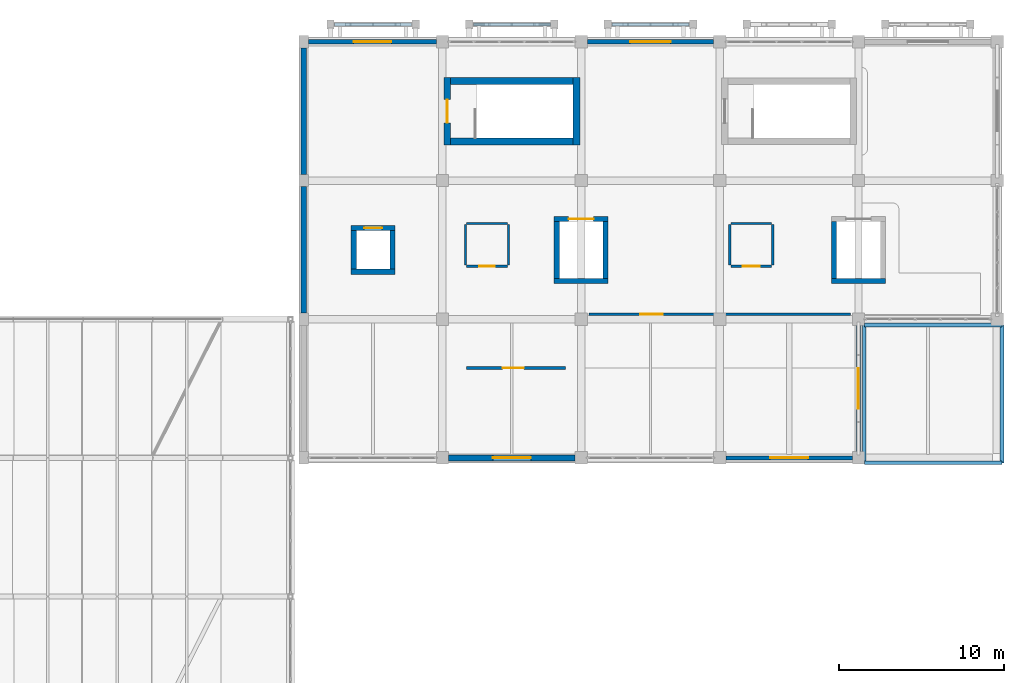
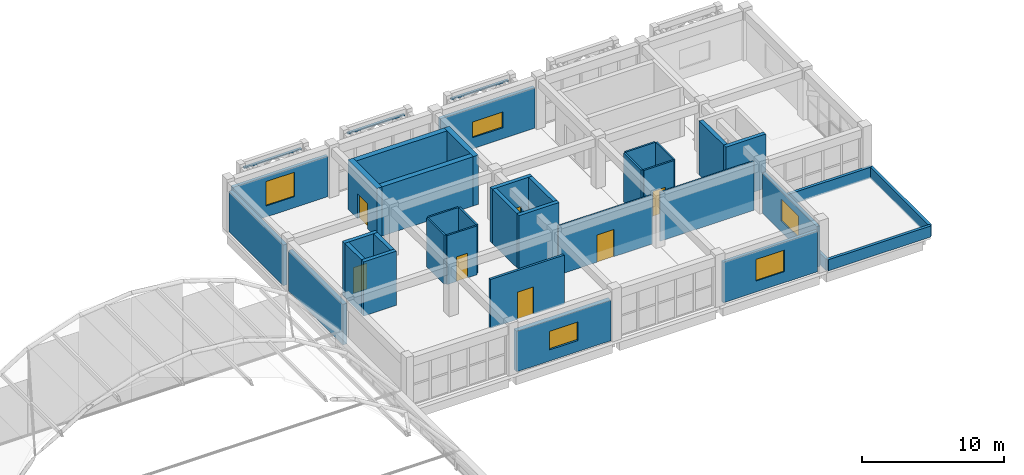
# One storey, part 106 of 114: 39 walls, 7 doors, 5 windows, 12 openings.
"""IFC4 building model written with IfcOpenShell, lengths in metres."""

from ifc_helpers import new_model, si_unit, direction, frame, frame_2d, origin, place, context, subcontext, project, spatial, rectangle, extrude, material, layer, layer_set, type_object, element, fill, save


model = new_model("IFC4")

# Units and contexts
model_context = context("Model", 3, precision=1e-05, world=origin(), true_north=direction((0.0, 1.0)))
body_context = subcontext(model_context, "Body", "Model", "MODEL_VIEW")
ifc_project = project(units=[si_unit("LENGTHUNIT", "METRE"), si_unit("AREAUNIT", "SQUARE_METRE"), si_unit("VOLUMEUNIT", "CUBIC_METRE"), si_unit("PLANEANGLEUNIT", "RADIAN"), si_unit("MASSUNIT", "GRAM", prefix="KILO")], contexts=[model_context])

# Site, building, storey
site_placement = place(None, origin())
site = spatial("IfcSite", under=ifc_project, at=site_placement, CompositionType="ELEMENT")
building_placement = place(site_placement, origin())
building = spatial("IfcBuilding", under=site, at=building_placement, Name="Xazarin Passage Department Store", CompositionType="ELEMENT")
storey_placement = place(building_placement, frame((0.0, 0.0, 14.39990234375)))
storey = spatial("IfcBuildingStorey", under=building, at=storey_placement, Name="L03", CompositionType="ELEMENT", Elevation=14.39990234375)

# Wall, opening, door
ifc_material_1 = material(Name="Buff Baku clay brick", Category="masonry")
ifc_layer_1 = layer(ifc_material_1, 0.18505859375)
ifc_layer_set_1 = layer_set([ifc_layer_1], Name="Buff Baku clay brick")
wall_type_1 = type_object("IfcWallType", Name="ARC-W-CMP185", PredefinedType="PARTITIONING", material=ifc_layer_set_1)
wall_1_placement = place(storey_placement, frame((112.25, 90.25, 0.0), z_axis=(0.0, 0.0, 1.0), x_axis=(1.0, 0.0, 0.0)))
wall_1 = element("IfcWall", 1, at=wall_1_placement, inside=storey, type_object=wall_type_1, Name="L03 Buying Office Front Wall 0228", PredefinedType="PARTITIONING", context=body_context, shape_type="SweptSolid", body=[
    extrude(rectangle(XDim=6.0, YDim=0.18505859375, at=frame_2d((3.0, 0.0))), origin(), (0.0, 0.0, 1.0), 4.2001953125),
])
opening_1_placement = place(wall_1_placement, frame((2.199951171875, 0.0, 0.0)))
opening_1 = element("IfcOpeningElement", 2, at=opening_1_placement, cuts=wall_1, Name="Opening ID29", PredefinedType="OPENING", context=body_context, shape_type="SweptSolid", body=[
    extrude(rectangle(XDim=1.280029296875, YDim=2.340087890625, at=frame_2d((0.64013671875, 1.169921875))), frame((0.0, 0.1025390625, 0.0), z_axis=(0.0, -1.0, 0.0), x_axis=(1.0, 0.0, 0.0)), (0.0, 0.0, 1.0), 0.205078125),
])
ifc_material_2 = material(Name="Timber acoustic leaf", Category="wood")
door_type_1 = type_object("IfcDoorType", Name="ARC-DR-ID29", OperationType="NOTDEFINED", PredefinedType="DOOR", material=ifc_material_2)
door_1_placement = place(opening_1_placement, origin())
door_1 = element("IfcDoor", 3, at=door_1_placement, inside=storey, type_object=door_type_1, Name="DR-INT-L03-0228", OperationType="SINGLE_SWING_LEFT", OverallHeight=2.340087890625, OverallWidth=1.280029296875, PredefinedType="DOOR", context=body_context, shape_type="SweptSolid", body=[
    extrude(rectangle(XDim=1.280029296875, YDim=2.340087890625, at=frame_2d((0.64013671875, 1.169921875))), frame((0.0, 0.02490234375, 0.0), z_axis=(0.0, -1.0, 0.0), x_axis=(1.0, 0.0, 0.0)), (0.0, 0.0, 1.0), 0.050048828125),
])
fill(opening_1, door_1)

# Wall, opening, window
ifc_material_3 = material(Name="Precast concrete C40/50", Category="concrete")
ifc_layer_2 = layer(ifc_material_3, 0.239990234375)
ifc_layer_set_2 = layer_set([ifc_layer_2], Name="Precast concrete C40/50")
wall_type_2 = type_object("IfcWallType", Name="ARC-W-EXT240", PredefinedType="SOLIDWALL", material=ifc_layer_set_2)
wall_2_placement = place(storey_placement, frame((127.97509765625, 84.800048828125, 0.0), z_axis=(0.0, 0.0, 1.0), x_axis=(1.0, 0.0, 0.0)))
wall_2 = element("IfcWall", 4, at=wall_2_placement, inside=storey, type_object=wall_type_2, Name="L03 V4 Exterior Wall 312", PredefinedType="SOLIDWALL", context=body_context, shape_type="SweptSolid", body=[
    extrude(rectangle(XDim=7.64990234375, YDim=0.239990234375, at=frame_2d((3.824951171875, 0.0))), origin(), (0.0, 0.0, 1.0), 3.489990234375),
])
opening_2_placement = place(wall_2_placement, frame((2.675048828125, 0.0, 0.949951171875)))
opening_2 = element("IfcOpeningElement", 5, at=opening_2_placement, cuts=wall_2, Name="Opening W39", PredefinedType="OPENING", context=body_context, shape_type="SweptSolid", body=[
    extrude(rectangle(XDim=2.300048828125, YDim=1.85009765625, at=frame_2d((1.14990234375, 0.925048828125))), frame((0.0, 0.1298828125, 0.0), z_axis=(0.0, -1.0, 0.0), x_axis=(1.0, 0.0, 0.0)), (0.0, 0.0, 1.0), 0.260009765625),
])
ifc_material_4 = material(Name="Low-E laminated safety glass", Category="glass")
window_type_1 = type_object("IfcWindowType", Name="ARC-WIN-W39", PartitioningType="DOUBLE_PANEL_VERTICAL", PredefinedType="WINDOW", material=ifc_material_4)
window_1_placement = place(opening_2_placement, origin())
window_1 = element("IfcWindow", 6, at=window_1_placement, inside=storey, type_object=window_type_1, Name="L03 V4 Facade Window 0087", OverallHeight=1.85009765625, OverallWidth=2.300048828125, PartitioningType="DOUBLE_PANEL_VERTICAL", PredefinedType="WINDOW", context=body_context, shape_type="SweptSolid", body=[
    extrude(rectangle(XDim=2.300048828125, YDim=1.85009765625, at=frame_2d((1.14990234375, 0.925048828125))), frame((0.0, 0.030029296875, 0.0), z_axis=(0.0, -1.0, 0.0), x_axis=(1.0, 0.0, 0.0)), (0.0, 0.0, 1.0), 0.06005859375),
])
fill(opening_2, window_1)

wall_3_placement = place(storey_placement, frame((136.0, 85.175048828125, 0.0), z_axis=(0.0, 0.0, 1.0), x_axis=(0.0, 1.0, 0.0)))
wall_3 = element("IfcWall", 7, at=wall_3_placement, inside=storey, type_object=wall_type_2, Name="L03 V4 Exterior Wall 319", PredefinedType="SOLIDWALL", context=body_context, shape_type="SweptSolid", body=[
    extrude(rectangle(XDim=7.64990234375, YDim=0.239990234375, at=frame_2d((3.824951171875, 0.0))), origin(), (0.0, 0.0, 1.0), 3.489990234375),
])
opening_3_placement = place(wall_3_placement, frame((2.60009765625, 0.0, 0.949951171875)))
opening_3 = element("IfcOpeningElement", 8, at=opening_3_placement, cuts=wall_3, Name="Opening W43", PredefinedType="OPENING", context=body_context, shape_type="SweptSolid", body=[
    extrude(rectangle(XDim=2.449951171875, YDim=1.85009765625, at=frame_2d((1.22509765625, 0.925048828125))), frame((0.0, 0.1298828125, 0.0), z_axis=(0.0, -1.0, 0.0), x_axis=(1.0, 0.0, 0.0)), (0.0, 0.0, 1.0), 0.260009765625),
])
window_type_2 = type_object("IfcWindowType", Name="ARC-WIN-W43", PartitioningType="DOUBLE_PANEL_VERTICAL", PredefinedType="WINDOW", material=ifc_material_4)
window_2_placement = place(opening_3_placement, origin())
window_2 = element("IfcWindow", 9, at=window_2_placement, inside=storey, type_object=window_type_2, Name="L03 V4 Facade Window 0091", OverallHeight=1.85009765625, OverallWidth=2.449951171875, PartitioningType="DOUBLE_PANEL_VERTICAL", PredefinedType="WINDOW", context=body_context, shape_type="SweptSolid", body=[
    extrude(rectangle(XDim=2.449951171875, YDim=1.85009765625, at=frame_2d((1.22509765625, 0.925048828125))), frame((0.0, 0.030029296875, 0.0), z_axis=(0.0, -1.0, 0.0), x_axis=(1.0, 0.0, 0.0)), (0.0, 0.0, 1.0), 0.06005859375),
])
fill(opening_3, window_2)

ifc_layer_3 = layer(ifc_material_3, 0.260009765625)
ifc_layer_set_3 = layer_set([ifc_layer_3], Name="Precast concrete C40/50")
wall_type_3 = type_object("IfcWallType", Name="ARC-W-EXT260", PredefinedType="SOLIDWALL", material=ifc_layer_set_3)
wall_4_placement = place(storey_placement, frame((102.699951171875, 110.0, 0.0), z_axis=(0.0, 0.0, 1.0), x_axis=(1.0, 0.0, 0.0)))
wall_4 = element("IfcWall", 10, at=wall_4_placement, inside=storey, type_object=wall_type_3, Name="L03 V4 Exterior Wall 313", PredefinedType="SOLIDWALL", context=body_context, shape_type="SweptSolid", body=[
    extrude(rectangle(XDim=7.72509765625, YDim=0.260009765625, at=frame_2d((3.862548828125, 0.0))), origin(), (0.0, 0.0, 1.0), 3.489990234375),
])
opening_4_placement = place(wall_4_placement, frame((2.71240234375, 0.0, 0.949951171875)))
opening_4 = element("IfcOpeningElement", 11, at=opening_4_placement, cuts=wall_4, Name="Opening W40", PredefinedType="OPENING", context=body_context, shape_type="SweptSolid", body=[
    extrude(rectangle(XDim=2.300048828125, YDim=2.10009765625, at=frame_2d((1.14990234375, 1.050048828125))), frame((0.0, 0.139892578125, 0.0), z_axis=(0.0, -1.0, 0.0), x_axis=(1.0, 0.0, 0.0)), (0.0, 0.0, 1.0), 0.280029296875),
])
window_type_3 = type_object("IfcWindowType", Name="ARC-WIN-W40", PartitioningType="DOUBLE_PANEL_VERTICAL", PredefinedType="WINDOW", material=ifc_material_4)
window_3_placement = place(opening_4_placement, origin())
window_3 = element("IfcWindow", 12, at=window_3_placement, inside=storey, type_object=window_type_3, Name="L03 V4 Facade Window 0088", OverallHeight=2.10009765625, OverallWidth=2.300048828125, PartitioningType="DOUBLE_PANEL_VERTICAL", PredefinedType="WINDOW", context=body_context, shape_type="SweptSolid", body=[
    extrude(rectangle(XDim=2.300048828125, YDim=2.10009765625, at=frame_2d((1.14990234375, 1.050048828125))), frame((0.0, 0.030029296875, 0.0), z_axis=(0.0, -1.0, 0.0), x_axis=(1.0, 0.0, 0.0)), (0.0, 0.0, 1.0), 0.06005859375),
])
fill(opening_4, window_3)

ifc_layer_4 = layer(ifc_material_3, 0.280029296875)
ifc_layer_set_4 = layer_set([ifc_layer_4], Name="Precast concrete C40/50")
wall_type_4 = type_object("IfcWallType", Name="ARC-W-EXT280", PredefinedType="SOLIDWALL", material=ifc_layer_set_4)
wall_5_placement = place(storey_placement, frame((119.574951171875, 110.0, 0.0), z_axis=(0.0, 0.0, 1.0), x_axis=(1.0, 0.0, 0.0)))
wall_5 = element("IfcWall", 13, at=wall_5_placement, inside=storey, type_object=wall_type_4, Name="L03 V4 Exterior Wall 314", PredefinedType="SOLIDWALL", context=body_context, shape_type="SweptSolid", body=[
    extrude(rectangle(XDim=7.650146484375, YDim=0.280029296875, at=frame_2d((3.8251953125, 0.0))), origin(), (0.0, 0.0, 1.0), 3.489990234375),
])
opening_5_placement = place(wall_5_placement, frame((2.60009765625, 0.0, 0.949951171875)))
opening_5 = element("IfcOpeningElement", 14, at=opening_5_placement, cuts=wall_5, Name="Opening W41", PredefinedType="OPENING", context=body_context, shape_type="SweptSolid", body=[
    extrude(rectangle(XDim=2.449951171875, YDim=1.35009765625, at=frame_2d((1.22509765625, 0.675048828125))), frame((0.0, 0.14990234375, 0.0), z_axis=(0.0, -1.0, 0.0), x_axis=(1.0, 0.0, 0.0)), (0.0, 0.0, 1.0), 0.300048828125),
])
window_type_4 = type_object("IfcWindowType", Name="ARC-WIN-W41", PartitioningType="DOUBLE_PANEL_VERTICAL", PredefinedType="WINDOW", material=ifc_material_4)
window_4_placement = place(opening_5_placement, origin())
window_4 = element("IfcWindow", 15, at=window_4_placement, inside=storey, type_object=window_type_4, Name="L03 V4 Facade Window 0089", OverallHeight=1.35009765625, OverallWidth=2.449951171875, PartitioningType="DOUBLE_PANEL_VERTICAL", PredefinedType="WINDOW", context=body_context, shape_type="SweptSolid", body=[
    extrude(rectangle(XDim=2.449951171875, YDim=1.35009765625, at=frame_2d((1.22509765625, 0.675048828125))), frame((0.0, 0.030029296875, 0.0), z_axis=(0.0, -1.0, 0.0), x_axis=(1.0, 0.0, 0.0)), (0.0, 0.0, 1.0), 0.06005859375),
])
fill(opening_5, window_4)

# Walls
ifc_layer_5 = layer(ifc_material_1, 0.320068359375)
ifc_layer_set_5 = layer_set([ifc_layer_5], Name="Buff Baku clay brick")
wall_type_5 = type_object("IfcWallType", Name="ARC-W-EXT320", PredefinedType="SOLIDWALL", material=ifc_layer_set_5)
wall_6_placement = place(storey_placement, frame((102.39990234375, 93.574951171875, 0.0), z_axis=(0.0, 0.0, 1.0), x_axis=(0.0, 1.0, 0.0)))
element("IfcWall", 16, at=wall_6_placement, inside=storey, type_object=wall_type_5, Name="L03 V4 Exterior Wall 317", PredefinedType="SOLIDWALL", context=body_context, shape_type="SweptSolid", body=[
    extrude(rectangle(XDim=7.650146484375, YDim=0.320068359375, at=frame_2d((3.8251953125, 0.0))), origin(), (0.0, 0.0, 1.0), 3.489990234375),
])
wall_7_placement = place(storey_placement, frame((102.39990234375, 101.97509765625, 0.0), z_axis=(0.0, 0.0, 1.0), x_axis=(0.0, 1.0, 0.0)))
element("IfcWall", 17, at=wall_7_placement, inside=storey, type_object=wall_type_5, Name="L03 V4 Exterior Wall 318", PredefinedType="SOLIDWALL", context=body_context, shape_type="SweptSolid", body=[
    extrude(rectangle(XDim=7.64990234375, YDim=0.320068359375, at=frame_2d((3.824951171875, 0.0))), origin(), (0.0, 0.0, 1.0), 3.489990234375),
])

# Wall, opening, window
ifc_material_5 = material(Name="Absheron limestone cladding", Category="masonry")
ifc_layer_6 = layer(ifc_material_5, 0.360107421875)
ifc_layer_set_6 = layer_set([ifc_layer_6], Name="Absheron limestone cladding")
wall_type_6 = type_object("IfcWallType", Name="ARC-W-EXT360", PredefinedType="SOLIDWALL", material=ifc_layer_set_6)
wall_8_placement = place(storey_placement, frame((111.175048828125, 84.800048828125, 0.0), z_axis=(0.0, 0.0, 1.0), x_axis=(1.0, 0.0, 0.0)))
wall_8 = element("IfcWall", 18, at=wall_8_placement, inside=storey, type_object=wall_type_6, Name="L03 V4 Exterior Wall 311", PredefinedType="SOLIDWALL", context=body_context, shape_type="SweptSolid", body=[
    extrude(rectangle(XDim=7.64990234375, YDim=0.360107421875, at=frame_2d((3.824951171875, 0.0))), origin(), (0.0, 0.0, 1.0), 3.489990234375),
])
opening_6_placement = place(wall_8_placement, frame((2.675048828125, 0.0, 0.949951171875)))
opening_6 = element("IfcOpeningElement", 19, at=opening_6_placement, cuts=wall_8, Name="Opening W38", PredefinedType="OPENING", context=body_context, shape_type="SweptSolid", body=[
    extrude(rectangle(XDim=2.300048828125, YDim=1.60009765625, at=frame_2d((1.14990234375, 0.800048828125))), frame((0.0, 0.18994140625, 0.0), z_axis=(0.0, -1.0, 0.0), x_axis=(1.0, 0.0, 0.0)), (0.0, 0.0, 1.0), 0.380126953125),
])
window_type_5 = type_object("IfcWindowType", Name="ARC-WIN-W38", PartitioningType="DOUBLE_PANEL_VERTICAL", PredefinedType="WINDOW", material=ifc_material_4)
window_5_placement = place(opening_6_placement, origin())
window_5 = element("IfcWindow", 20, at=window_5_placement, inside=storey, type_object=window_type_5, Name="L03 V4 Facade Window 0086", OverallHeight=1.60009765625, OverallWidth=2.300048828125, PartitioningType="DOUBLE_PANEL_VERTICAL", PredefinedType="WINDOW", context=body_context, shape_type="SweptSolid", body=[
    extrude(rectangle(XDim=2.300048828125, YDim=1.60009765625, at=frame_2d((1.14990234375, 0.800048828125))), frame((0.0, 0.030029296875, 0.0), z_axis=(0.0, -1.0, 0.0), x_axis=(1.0, 0.0, 0.0)), (0.0, 0.0, 1.0), 0.06005859375),
])
fill(opening_6, window_5)

# Walls
ifc_layer_7 = layer(ifc_material_3, 0.18994140625)
ifc_layer_set_7 = layer_set([ifc_layer_7], Name="Precast concrete C40/50")
wall_type_7 = type_object("IfcWallType", Name="ARC-W-PAR190", PredefinedType="PARAPET", material=ifc_layer_set_7)
wall_9_placement = place(storey_placement, frame((104.27001953125, 111.050048828125, 3.880126953125), z_axis=(0.0, 0.0, 1.0), x_axis=(1.0, 0.0, 0.0)))
element("IfcWall", 21, at=wall_9_placement, inside=storey, type_object=wall_type_7, Name="L03 V4 Pierced-Arch Spandrel Lintel 0148", PredefinedType="PARAPET", context=body_context, shape_type="SweptSolid", body=[
    extrude(rectangle(XDim=4.659912109375, YDim=0.18994140625, at=frame_2d((2.330078125, 0.0))), origin(), (0.0, 0.0, 1.0), 0.119873046875),
])
wall_10_placement = place(storey_placement, frame((112.669921875, 111.050048828125, 3.880126953125), z_axis=(0.0, 0.0, 1.0), x_axis=(1.0, 0.0, 0.0)))
element("IfcWall", 22, at=wall_10_placement, inside=storey, type_object=wall_type_7, Name="L03 V4 Pierced-Arch Spandrel Lintel 0152", PredefinedType="PARAPET", context=body_context, shape_type="SweptSolid", body=[
    extrude(rectangle(XDim=4.66015625, YDim=0.18994140625, at=frame_2d((2.330078125, 0.0))), origin(), (0.0, 0.0, 1.0), 0.119873046875),
])
wall_11_placement = place(storey_placement, frame((121.070068359375, 111.050048828125, 3.880126953125), z_axis=(0.0, 0.0, 1.0), x_axis=(1.0, 0.0, 0.0)))
element("IfcWall", 23, at=wall_11_placement, inside=storey, type_object=wall_type_7, Name="L03 V4 Pierced-Arch Spandrel Lintel 0156", PredefinedType="PARAPET", context=body_context, shape_type="SweptSolid", body=[
    extrude(rectangle(XDim=4.659912109375, YDim=0.18994140625, at=frame_2d((2.330078125, 0.0))), origin(), (0.0, 0.0, 1.0), 0.119873046875),
])
ifc_layer_8 = layer(ifc_material_3, 0.22998046875)
ifc_layer_set_8 = layer_set([ifc_layer_8], Name="Precast concrete C40/50")
wall_type_8 = type_object("IfcWallType", Name="ARC-W-PAR230", PredefinedType="PARAPET", material=ifc_layer_set_8)
wall_12_placement = place(storey_placement, frame((144.699951171875, 84.5, 0.0), z_axis=(0.0, 0.0, 1.0), x_axis=(0.0, 1.0, 0.0)))
element("IfcWall", 24, at=wall_12_placement, inside=storey, type_object=wall_type_8, Name="L03 Roof Parapet 048", PredefinedType="PARAPET", context=body_context, shape_type="SweptSolid", body=[
    extrude(rectangle(XDim=8.35009765625, YDim=0.22998046875, at=frame_2d((4.175048828125, 0.0))), origin(), (0.0, 0.0, 1.0), 0.9501953125),
])
wall_13_placement = place(storey_placement, frame((144.699951171875, 92.85009765625, 0.0), z_axis=(0.0, 0.0, 1.0), x_axis=(-1.0, 0.0, 0.0)))
element("IfcWall", 25, at=wall_13_placement, inside=storey, type_object=wall_type_8, Name="L03 Roof Parapet 049", PredefinedType="PARAPET", context=body_context, shape_type="SweptSolid", body=[
    extrude(rectangle(XDim=8.349853515625, YDim=0.22998046875, at=frame_2d((4.1748046875, 0.0))), origin(), (0.0, 0.0, 1.0), 0.9501953125),
])
wall_14_placement = place(storey_placement, frame((136.35009765625, 92.85009765625, 0.0), z_axis=(0.0, 0.0, 1.0), x_axis=(0.0, -1.0, 0.0)))
element("IfcWall", 26, at=wall_14_placement, inside=storey, type_object=wall_type_8, Name="L03 Roof Parapet 050", PredefinedType="PARAPET", context=body_context, shape_type="SweptSolid", body=[
    extrude(rectangle(XDim=8.35009765625, YDim=0.22998046875, at=frame_2d((4.175048828125, 0.0))), origin(), (0.0, 0.0, 1.0), 0.9501953125),
])
wall_15_placement = place(storey_placement, frame((136.35009765625, 84.5, 0.0), z_axis=(0.0, 0.0, 1.0), x_axis=(1.0, 0.0, 0.0)))
element("IfcWall", 27, at=wall_15_placement, inside=storey, type_object=wall_type_8, Name="L03 Roof Parapet 051", PredefinedType="PARAPET", context=body_context, shape_type="SweptSolid", body=[
    extrude(rectangle(XDim=8.349853515625, YDim=0.22998046875, at=frame_2d((4.1748046875, 0.0))), origin(), (0.0, 0.0, 1.0), 0.9501953125),
])

# Wall, opening, door
ifc_material_6 = material(Name="Gypsum board acoustic partition")
ifc_layer_9 = layer(ifc_material_6, 0.125)
ifc_layer_set_9 = layer_set([ifc_layer_9], Name="Gypsum board acoustic partition")
wall_type_9 = type_object("IfcWallType", Name="ARC-W-PRT125", PredefinedType="PARTITIONING", material=ifc_layer_set_9)
wall_16_placement = place(storey_placement, frame((119.669921875, 93.5, 0.0), z_axis=(0.0, 0.0, 1.0), x_axis=(1.0, 0.0, 0.0)))
wall_16 = element("IfcWall", 28, at=wall_16_placement, inside=storey, type_object=wall_type_9, Name="L03 Design Merchandising Studio Front Wall 0229", PredefinedType="PARTITIONING", context=body_context, shape_type="SweptSolid", body=[
    extrude(rectangle(XDim=7.610107421875, YDim=0.125, at=frame_2d((3.80517578125, 0.0))), origin(), (0.0, 0.0, 1.0), 4.2001953125),
])
opening_7_placement = place(wall_16_placement, frame((3.125, 0.0, 0.0)))
opening_7 = element("IfcOpeningElement", 29, at=opening_7_placement, cuts=wall_16, Name="Opening ID33", PredefinedType="OPENING", context=body_context, shape_type="SweptSolid", body=[
    extrude(rectangle(XDim=1.360107421875, YDim=2.340087890625, at=frame_2d((0.68017578125, 1.169921875))), frame((0.0, 0.072509765625, 0.0), z_axis=(0.0, -1.0, 0.0), x_axis=(1.0, 0.0, 0.0)), (0.0, 0.0, 1.0), 0.14501953125),
])
door_type_2 = type_object("IfcDoorType", Name="ARC-DR-ID33", OperationType="NOTDEFINED", PredefinedType="DOOR", material=ifc_material_2)
door_2_placement = place(opening_7_placement, origin())
door_2 = element("IfcDoor", 30, at=door_2_placement, inside=storey, type_object=door_type_2, Name="DR-INT-L03-0229", OperationType="SINGLE_SWING_RIGHT", OverallHeight=2.340087890625, OverallWidth=1.360107421875, PredefinedType="DOOR", context=body_context, shape_type="SweptSolid", body=[
    extrude(rectangle(XDim=1.360107421875, YDim=2.340087890625, at=frame_2d((0.68017578125, 1.169921875))), frame((0.0, 0.02490234375, 0.0), z_axis=(0.0, -1.0, 0.0), x_axis=(1.0, 0.0, 0.0)), (0.0, 0.0, 1.0), 0.050048828125),
])
fill(opening_7, door_2)

# Wall
wall_17_placement = place(storey_placement, frame((127.919921875, 93.5, 0.0), z_axis=(0.0, 0.0, 1.0), x_axis=(1.0, 0.0, 0.0)))
element("IfcWall", 31, at=wall_17_placement, inside=storey, type_object=wall_type_9, Name="L03 Design Merchandising Studio Front Wall 0230", PredefinedType="PARTITIONING", context=body_context, shape_type="SweptSolid", body=[
    extrude(rectangle(XDim=7.610107421875, YDim=0.125, at=frame_2d((3.80517578125, 0.0))), origin(), (0.0, 0.0, 1.0), 4.2001953125),
])

# Wall, opening, door
ifc_material_7 = material(Name="Moisture-resistant masonry partition", Category="masonry")
ifc_layer_10 = layer(ifc_material_7, 0.139892578125)
ifc_layer_set_10 = layer_set([ifc_layer_10], Name="Moisture-resistant masonry partition")
wall_type_10 = type_object("IfcWallType", Name="ARC-W-PRT140", PredefinedType="PARTITIONING", material=ifc_layer_set_10)
wall_18_placement = place(storey_placement, frame((112.27001953125, 96.39990234375, 0.0), z_axis=(0.0, 0.0, 1.0), x_axis=(1.0, 0.0, 0.0)))
wall_18 = element("IfcWall", 32, at=wall_18_placement, inside=storey, type_object=wall_type_10, Name="L03 Staff WC 0220", PredefinedType="PARTITIONING", context=body_context, shape_type="SweptSolid", body=[
    extrude(rectangle(XDim=2.4599609375, YDim=0.139892578125, at=frame_2d((1.22998046875, 0.0))), origin(), (0.0, 0.0, 1.0), 4.2001953125),
])
opening_8_placement = place(wall_18_placement, frame((0.77001953125, 0.0, 0.0)))
opening_8 = element("IfcOpeningElement", 33, at=opening_8_placement, cuts=wall_18, Name="Opening ID1", PredefinedType="OPENING", context=body_context, shape_type="SweptSolid", body=[
    extrude(rectangle(XDim=0.919921875, YDim=2.1201171875, at=frame_2d((0.4599609375, 1.06005859375))), frame((0.0, 0.079833984375, 0.0), z_axis=(0.0, -1.0, 0.0), x_axis=(1.0, 0.0, 0.0)), (0.0, 0.0, 1.0), 0.159912109375),
])
door_type_3 = type_object("IfcDoorType", Name="ARC-DR-WC092", OperationType="NOTDEFINED", PredefinedType="DOOR", material=ifc_material_2)
door_3_placement = place(opening_8_placement, origin())
door_3 = element("IfcDoor", 34, at=door_3_placement, inside=storey, type_object=door_type_3, Name="DR-INT-L03-0220", OperationType="SINGLE_SWING_LEFT", OverallHeight=2.1201171875, OverallWidth=0.919921875, PredefinedType="DOOR", context=body_context, shape_type="SweptSolid", body=[
    extrude(rectangle(XDim=0.919921875, YDim=2.1201171875, at=frame_2d((0.4599609375, 1.06005859375))), frame((0.0, 0.02490234375, 0.0), z_axis=(0.0, -1.0, 0.0), x_axis=(1.0, 0.0, 0.0)), (0.0, 0.0, 1.0), 0.050048828125),
])
fill(opening_8, door_3)

# Walls
for number, where, z_axis, x_axis, name in (
    (35, (112.27001953125, 99.0, 0.0), (0.0, 0.0, 1.0), (1.0, 0.0, 0.0), "L03 Staff WC Back Wall 0221"),
    (36, (112.199951171875, 96.469970703125, 0.0), (0.0, 0.0, 1.0), (0.0, 1.0, 0.0), "L03 Staff WC Side Wall 0222"),
    (37, (114.800048828125, 96.469970703125, 0.0), (0.0, 0.0, 1.0), (0.0, 1.0, 0.0), "L03 Staff WC Side Wall 0223"),
):
    element("IfcWall", number, at=place(storey_placement, frame(where, z_axis=z_axis, x_axis=x_axis)), inside=storey, type_object=wall_type_10, Name=name, PredefinedType="PARTITIONING", context=body_context, shape_type="SweptSolid", body=[
        extrude(rectangle(XDim=2.4599609375, YDim=0.139892578125, at=frame_2d((1.22998046875, 0.0))), origin(), (0.0, 0.0, 1.0), 4.2001953125),
    ])

# Wall, opening, door
wall_19_placement = place(storey_placement, frame((128.27001953125, 96.39990234375, 0.0), z_axis=(0.0, 0.0, 1.0), x_axis=(1.0, 0.0, 0.0)))
wall_19 = element("IfcWall", 38, at=wall_19_placement, inside=storey, type_object=wall_type_10, Name="L03 Accessible WC 0224", PredefinedType="PARTITIONING", context=body_context, shape_type="SweptSolid", body=[
    extrude(rectangle(XDim=2.4599609375, YDim=0.139892578125, at=frame_2d((1.22998046875, 0.0))), origin(), (0.0, 0.0, 1.0), 4.2001953125),
])
opening_9_placement = place(wall_19_placement, frame((0.719970703125, 0.0, 0.0)))
opening_9 = element("IfcOpeningElement", 39, at=opening_9_placement, cuts=wall_19, Name="Opening ID2", PredefinedType="OPENING", context=body_context, shape_type="SweptSolid", body=[
    extrude(rectangle(XDim=1.02001953125, YDim=2.14990234375, at=frame_2d((0.510009765625, 1.074951171875))), frame((0.0, 0.079833984375, 0.0), z_axis=(0.0, -1.0, 0.0), x_axis=(1.0, 0.0, 0.0)), (0.0, 0.0, 1.0), 0.159912109375),
])
door_type_4 = type_object("IfcDoorType", Name="ARC-DR-AWC102", OperationType="NOTDEFINED", PredefinedType="DOOR", material=ifc_material_2)
door_4_placement = place(opening_9_placement, origin())
door_4 = element("IfcDoor", 40, at=door_4_placement, inside=storey, type_object=door_type_4, Name="DR-INT-L03-0224", OperationType="SINGLE_SWING_RIGHT", OverallHeight=2.14990234375, OverallWidth=1.02001953125, PredefinedType="DOOR", context=body_context, shape_type="SweptSolid", body=[
    extrude(rectangle(XDim=1.02001953125, YDim=2.14990234375, at=frame_2d((0.510009765625, 1.074951171875))), frame((0.0, 0.02490234375, 0.0), z_axis=(0.0, -1.0, 0.0), x_axis=(1.0, 0.0, 0.0)), (0.0, 0.0, 1.0), 0.050048828125),
])
fill(opening_9, door_4)

# Walls
for number, where, z_axis, x_axis, name in (
    (41, (128.27001953125, 99.0, 0.0), (0.0, 0.0, 1.0), (1.0, 0.0, 0.0), "L03 Accessible WC Back Wall 0225"),
    (42, (128.199951171875, 96.469970703125, 0.0), (0.0, 0.0, 1.0), (0.0, 1.0, 0.0), "L03 Accessible WC Side Wall 0226"),
    (43, (130.800048828125, 96.469970703125, 0.0), (0.0, 0.0, 1.0), (0.0, 1.0, 0.0), "L03 Accessible WC Side Wall 0227"),
):
    element("IfcWall", number, at=place(storey_placement, frame(where, z_axis=z_axis, x_axis=x_axis)), inside=storey, type_object=wall_type_10, Name=name, PredefinedType="PARTITIONING", context=body_context, shape_type="SweptSolid", body=[
        extrude(rectangle(XDim=2.4599609375, YDim=0.139892578125, at=frame_2d((1.22998046875, 0.0))), origin(), (0.0, 0.0, 1.0), 4.2001953125),
    ])
ifc_material_8 = material(Name="Concrete C40/50", Category="concrete")
ifc_layer_11 = layer(ifc_material_8, 0.31005859375)
ifc_layer_set_11 = layer_set([ifc_layer_11], Name="Concrete C40/50")
wall_type_11 = type_object("IfcWallType", Name="STR-W-LFT310", PredefinedType="SHEAR", material=ifc_layer_set_11)
wall_20_placement = place(storey_placement, frame((105.27001953125, 96.074951171875, 0.0), z_axis=(0.0, 0.0, 1.0), x_axis=(1.0, 0.0, 0.0)))
element("IfcWall", 44, at=wall_20_placement, inside=storey, type_object=wall_type_11, Name="L03 Lift PL5 Shaft Wall South", PredefinedType="SHEAR", context=body_context, shape_type="SweptSolid", body=[
    extrude(rectangle(XDim=2.659912109375, YDim=0.31005859375, at=frame_2d((1.330078125, 0.0))), origin(), (0.0, 0.0, 1.0), 4.650146484375),
])

# Wall, opening, door
wall_21_placement = place(storey_placement, frame((105.27001953125, 98.72509765625, 0.0), z_axis=(0.0, 0.0, 1.0), x_axis=(1.0, 0.0, 0.0)))
wall_21 = element("IfcWall", 45, at=wall_21_placement, inside=storey, type_object=wall_type_11, Name="L03 Lift PL5 Shaft Wall North", PredefinedType="SHEAR", context=body_context, shape_type="SweptSolid", body=[
    extrude(rectangle(XDim=2.659912109375, YDim=0.31005859375, at=frame_2d((1.330078125, 0.0))), origin(), (0.0, 0.0, 1.0), 4.650146484375),
])
opening_10_placement = place(wall_21_placement, frame((0.780029296875, 0.0, 0.0)))
opening_10 = element("IfcOpeningElement", 46, at=opening_10_placement, cuts=wall_21, Name="Opening LD-PL5-L03", PredefinedType="OPENING", context=body_context, shape_type="SweptSolid", body=[
    extrude(rectangle(XDim=1.10009765625, YDim=2.199951171875, at=frame_2d((0.550048828125, 1.10009765625))), frame((0.0, 0.1650390625, 0.0), z_axis=(0.0, -1.0, 0.0), x_axis=(1.0, 0.0, 0.0)), (0.0, 0.0, 1.0), 0.330078125),
])
ifc_material_9 = material(Name="Steel S355", Category="steel")
door_type_5 = type_object("IfcDoorType", Name="ARC-DR-LD110", OperationType="NOTDEFINED", PredefinedType="DOOR", material=ifc_material_9)
door_5_placement = place(opening_10_placement, origin())
door_5 = element("IfcDoor", 47, at=door_5_placement, inside=storey, type_object=door_type_5, Name="DR-LD-PL5-L03", OperationType="SLIDING_TO_LEFT", OverallHeight=2.199951171875, OverallWidth=1.10009765625, PredefinedType="DOOR", context=body_context, shape_type="SweptSolid", body=[
    extrude(rectangle(XDim=1.10009765625, YDim=2.199951171875, at=frame_2d((0.550048828125, 1.10009765625))), frame((0.0, 0.02490234375, 0.0), z_axis=(0.0, -1.0, 0.0), x_axis=(1.0, 0.0, 0.0)), (0.0, 0.0, 1.0), 0.050048828125),
])
fill(opening_10, door_5)

# Walls
for number, where, z_axis, x_axis, name in (
    (48, (105.425048828125, 96.22998046875, 0.0), (0.0, 0.0, 1.0), (0.0, 1.0, 0.0), "L03 Lift PL5 Shaft Wall West"),
    (49, (107.77490234375, 96.22998046875, 0.0), (0.0, 0.0, 1.0), (0.0, 1.0, 0.0), "L03 Lift PL5 Shaft Wall East"),
):
    element("IfcWall", number, at=place(storey_placement, frame(where, z_axis=z_axis, x_axis=x_axis)), inside=storey, type_object=wall_type_11, Name=name, PredefinedType="SHEAR", context=body_context, shape_type="SweptSolid", body=[
        extrude(rectangle(XDim=2.340087890625, YDim=0.31005859375, at=frame_2d((1.169921875, 0.0))), origin(), (0.0, 0.0, 1.0), 4.650146484375),
    ])
wall_22_placement = place(storey_placement, frame((117.570068359375, 95.52490234375, 0.0), z_axis=(0.0, 0.0, 1.0), x_axis=(1.0, 0.0, 0.0)))
element("IfcWall", 50, at=wall_22_placement, inside=storey, type_object=wall_type_11, Name="L03 Lift GL1 Shaft Wall South", PredefinedType="SHEAR", context=body_context, shape_type="SweptSolid", body=[
    extrude(rectangle(XDim=3.260009765625, YDim=0.31005859375, at=frame_2d((1.6298828125, 0.0))), origin(), (0.0, 0.0, 1.0), 4.650146484375),
])

# Wall, opening, door
wall_23_placement = place(storey_placement, frame((117.570068359375, 99.27490234375, 0.0), z_axis=(0.0, 0.0, 1.0), x_axis=(1.0, 0.0, 0.0)))
wall_23 = element("IfcWall", 51, at=wall_23_placement, inside=storey, type_object=wall_type_11, Name="L03 Lift GL1 Shaft Wall North", PredefinedType="SHEAR", context=body_context, shape_type="SweptSolid", body=[
    extrude(rectangle(XDim=3.260009765625, YDim=0.31005859375, at=frame_2d((1.6298828125, 0.0))), origin(), (0.0, 0.0, 1.0), 4.650146484375),
])
opening_11_placement = place(wall_23_placement, frame((0.8798828125, 0.0, 0.0)))
opening_11 = element("IfcOpeningElement", 52, at=opening_11_placement, cuts=wall_23, Name="Opening LD-GL1-L03", PredefinedType="OPENING", context=body_context, shape_type="SweptSolid", body=[
    extrude(rectangle(XDim=1.5, YDim=2.35009765625, at=frame_2d((0.75, 1.175048828125))), frame((0.0, 0.1650390625, 0.0), z_axis=(0.0, -1.0, 0.0), x_axis=(1.0, 0.0, 0.0)), (0.0, 0.0, 1.0), 0.330078125),
])
door_type_6 = type_object("IfcDoorType", Name="ARC-DR-LD150", OperationType="NOTDEFINED", PredefinedType="DOOR", material=ifc_material_9)
door_6_placement = place(opening_11_placement, origin())
door_6 = element("IfcDoor", 53, at=door_6_placement, inside=storey, type_object=door_type_6, Name="DR-LD-GL1-L03", OperationType="SLIDING_TO_LEFT", OverallHeight=2.35009765625, OverallWidth=1.5, PredefinedType="DOOR", context=body_context, shape_type="SweptSolid", body=[
    extrude(rectangle(XDim=1.5, YDim=2.35009765625, at=frame_2d((0.75, 1.175048828125))), frame((0.0, 0.02490234375, 0.0), z_axis=(0.0, -1.0, 0.0), x_axis=(1.0, 0.0, 0.0)), (0.0, 0.0, 1.0), 0.050048828125),
])
fill(opening_11, door_6)

# Walls
for number, where, z_axis, x_axis, name in (
    (54, (117.72509765625, 95.679931640625, 0.0), (0.0, 0.0, 1.0), (0.0, 1.0, 0.0), "L03 Lift GL1 Shaft Wall West"),
    (55, (120.675048828125, 95.679931640625, 0.0), (0.0, 0.0, 1.0), (0.0, 1.0, 0.0), "L03 Lift GL1 Shaft Wall East"),
):
    element("IfcWall", number, at=place(storey_placement, frame(where, z_axis=z_axis, x_axis=x_axis)), inside=storey, type_object=wall_type_11, Name=name, PredefinedType="SHEAR", context=body_context, shape_type="SweptSolid", body=[
        extrude(rectangle(XDim=3.440185546875, YDim=0.31005859375, at=frame_2d((1.72021484375, 0.0))), origin(), (0.0, 0.0, 1.0), 4.650146484375),
    ])
wall_24_placement = place(storey_placement, frame((134.3701171875, 95.52490234375, 0.0), z_axis=(0.0, 0.0, 1.0), x_axis=(1.0, 0.0, 0.0)))
element("IfcWall", 56, at=wall_24_placement, inside=storey, type_object=wall_type_11, Name="L03 Lift GL2 Shaft Wall South", PredefinedType="SHEAR", context=body_context, shape_type="SweptSolid", body=[
    extrude(rectangle(XDim=3.259765625, YDim=0.31005859375, at=frame_2d((1.6298828125, 0.0))), origin(), (0.0, 0.0, 1.0), 4.650146484375),
])
wall_25_placement = place(storey_placement, frame((134.52490234375, 95.679931640625, 0.0), z_axis=(0.0, 0.0, 1.0), x_axis=(0.0, 1.0, 0.0)))
element("IfcWall", 57, at=wall_25_placement, inside=storey, type_object=wall_type_11, Name="L03 Lift GL2 Shaft Wall West", PredefinedType="SHEAR", context=body_context, shape_type="SweptSolid", body=[
    extrude(rectangle(XDim=3.440185546875, YDim=0.31005859375, at=frame_2d((1.72021484375, 0.0))), origin(), (0.0, 0.0, 1.0), 4.650146484375),
])

# Wall, opening, door
ifc_layer_12 = layer(ifc_material_8, 0.419921875)
ifc_layer_set_12 = layer_set([ifc_layer_12], Name="Concrete C40/50")
wall_type_12 = type_object("IfcWallType", Name="STR-W-SHR420", PredefinedType="SHEAR", material=ifc_layer_set_12)
wall_26_placement = place(storey_placement, frame((111.090087890625, 107.840087890625, 0.0), z_axis=(0.0, 0.0, 1.0), x_axis=(0.0, -1.0, 0.0)))
wall_26 = element("IfcWall", 58, at=wall_26_placement, inside=storey, type_object=wall_type_12, Name="L03 Core K10 West Shear Wall", PredefinedType="SHEAR", context=body_context, shape_type="SweptSolid", body=[
    extrude(rectangle(XDim=4.080078125, YDim=0.419921875, at=frame_2d((2.0400390625, 0.0))), origin(), (0.0, 0.0, 1.0), 4.239990234375),
])
opening_12_placement = place(wall_26_placement, frame((1.340087890625, 0.0, 0.0)))
opening_12 = element("IfcOpeningElement", 59, at=opening_12_placement, cuts=wall_26, Name="Opening FD2", PredefinedType="OPENING", context=body_context, shape_type="SweptSolid", body=[
    extrude(rectangle(XDim=1.39990234375, YDim=2.14990234375, at=frame_2d((0.699951171875, 1.074951171875))), frame((0.0, 0.219970703125, 0.0), z_axis=(0.0, -1.0, 0.0), x_axis=(1.0, 0.0, 0.0)), (0.0, 0.0, 1.0), 0.43994140625),
])
door_type_7 = type_object("IfcDoorType", Name="ARC-DR-STR140", OperationType="NOTDEFINED", PredefinedType="DOOR", material=ifc_material_9)
door_7_placement = place(opening_12_placement, origin())
door_7 = element("IfcDoor", 60, at=door_7_placement, inside=storey, type_object=door_type_7, Name="DR-STR-K10-L03", OperationType="SINGLE_SWING_LEFT", OverallHeight=2.14990234375, OverallWidth=1.39990234375, PredefinedType="DOOR", context=body_context, shape_type="SweptSolid", body=[
    extrude(rectangle(XDim=1.39990234375, YDim=2.14990234375, at=frame_2d((0.699951171875, 1.074951171875))), frame((0.0, 0.02490234375, 0.0), z_axis=(0.0, -1.0, 0.0), x_axis=(1.0, 0.0, 0.0)), (0.0, 0.0, 1.0), 0.050048828125),
])
fill(opening_12, door_7)

# Walls
wall_27_placement = place(storey_placement, frame((118.909912109375, 103.760009765625, 0.0), z_axis=(0.0, 0.0, 1.0), x_axis=(0.0, 1.0, 0.0)))
element("IfcWall", 61, at=wall_27_placement, inside=storey, type_object=wall_type_12, Name="L03 Core K10 East Shear Wall", PredefinedType="SHEAR", context=body_context, shape_type="SweptSolid", body=[
    extrude(rectangle(XDim=4.080078125, YDim=0.419921875, at=frame_2d((2.0400390625, 0.0))), origin(), (0.0, 0.0, 1.0), 4.239990234375),
])
for number, where, z_axis, x_axis, name in (
    (62, (111.300048828125, 103.969970703125, 0.0), (0.0, 0.0, 1.0), (1.0, 0.0, 0.0), "L03 Core K10 South Shear Wall"),
    (63, (111.300048828125, 107.6298828125, 0.0), (0.0, 0.0, 1.0), (1.0, 0.0, 0.0), "L03 Core K10 North Shear Wall"),
):
    element("IfcWall", number, at=place(storey_placement, frame(where, z_axis=z_axis, x_axis=x_axis)), inside=storey, type_object=wall_type_12, Name=name, PredefinedType="SHEAR", context=body_context, shape_type="SweptSolid", body=[
        extrude(rectangle(XDim=7.39990234375, YDim=0.419921875, at=frame_2d((3.699951171875, 0.0))), origin(), (0.0, 0.0, 1.0), 4.239990234375),
    ])

save(model, "model.ifc")
